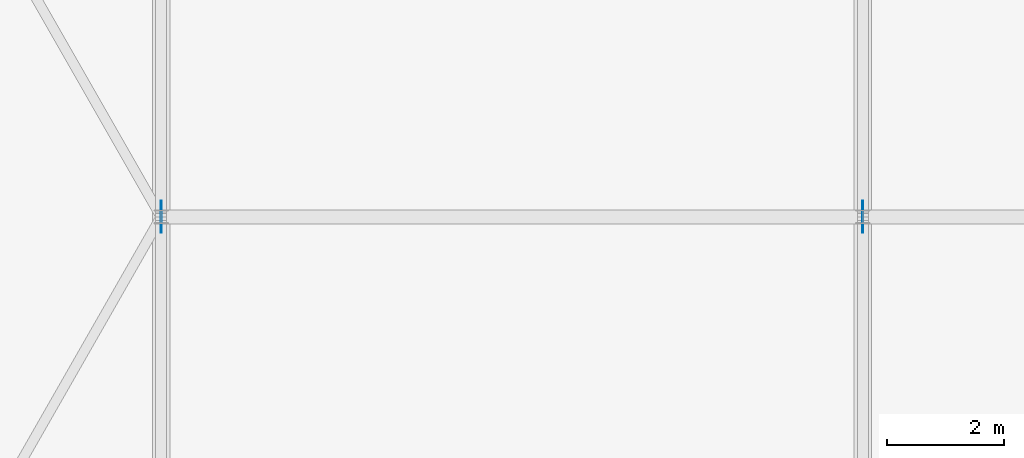
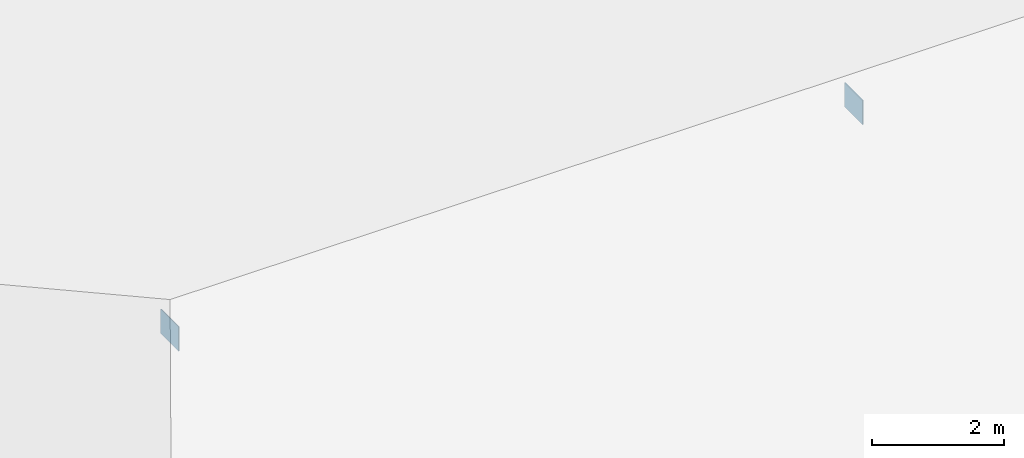
# One storey, part 169 of 204: 2 plates.
"""IFC4 building model written with IfcOpenShell, lengths in metres."""

from ifc_helpers import new_model, si_unit, direction, frame, origin, origin_2d, place, context, subcontext, project, spatial, rectangle, extrude, material, layer, layer_set, type_object, element, save


model = new_model("IFC4")

# Units and contexts
model_context = context("Model", 3, precision=1e-05, world=origin(), true_north=direction((0.0, 1.0)))
body_context = subcontext(model_context, "Body", "Model", "MODEL_VIEW")
ifc_project = project(units=[si_unit("LENGTHUNIT", "METRE"), si_unit("AREAUNIT", "SQUARE_METRE"), si_unit("VOLUMEUNIT", "CUBIC_METRE"), si_unit("PLANEANGLEUNIT", "RADIAN"), si_unit("MASSUNIT", "GRAM", prefix="KILO")], contexts=[model_context])

# Site, building, storey
site_placement = place(None, origin())
site = spatial("IfcSite", under=ifc_project, at=site_placement, CompositionType="ELEMENT")
building_placement = place(site_placement, origin())
building = spatial("IfcBuilding", under=site, at=building_placement, Name="Zilviju Railside Exhibition Hall", CompositionType="ELEMENT")
storey_placement = place(building_placement, frame((0.0, 0.0, 21.0)))
storey = spatial("IfcBuildingStorey", under=building, at=storey_placement, Name="RF", CompositionType="ELEMENT", Elevation=21.0)

# Plates
ifc_material = material(Name="Steel S355J2", Category="steel")
ifc_layer = layer(ifc_material, 0.01611328125)
ifc_layer_set = layer_set([ifc_layer], Name="Steel S355J2")
plate_type = type_object("IfcPlateType", Name="PLATE-GP-16", PredefinedType="SHEET", material=ifc_layer_set)
for number, where, z_axis, x_axis, name in (
    (1, (12.0, 57.0, -2.4248046875), (0.0, 0.0, 1.0), (1.0, 0.0, 0.0), "Congress Apex Gusset X=12.0"),
    (2, (24.0, 57.0, -2.4248046875), (0.0, 0.0, 1.0), (1.0, 0.0, 0.0), "Congress Apex Gusset X=24.0"),
):
    element("IfcPlate", number, at=place(storey_placement, frame(where, z_axis=z_axis, x_axis=x_axis)), inside=storey, type_object=plate_type, Name=name, PredefinedType="SHEET", context=body_context, shape_type="SweptSolid", body=[
        extrude(rectangle(XDim=0.01611328125, YDim=0.550048828125, at=origin_2d()), origin(), (0.0, 0.0, 1.0), 0.449951171875),
    ])

save(model, "model.ifc")
